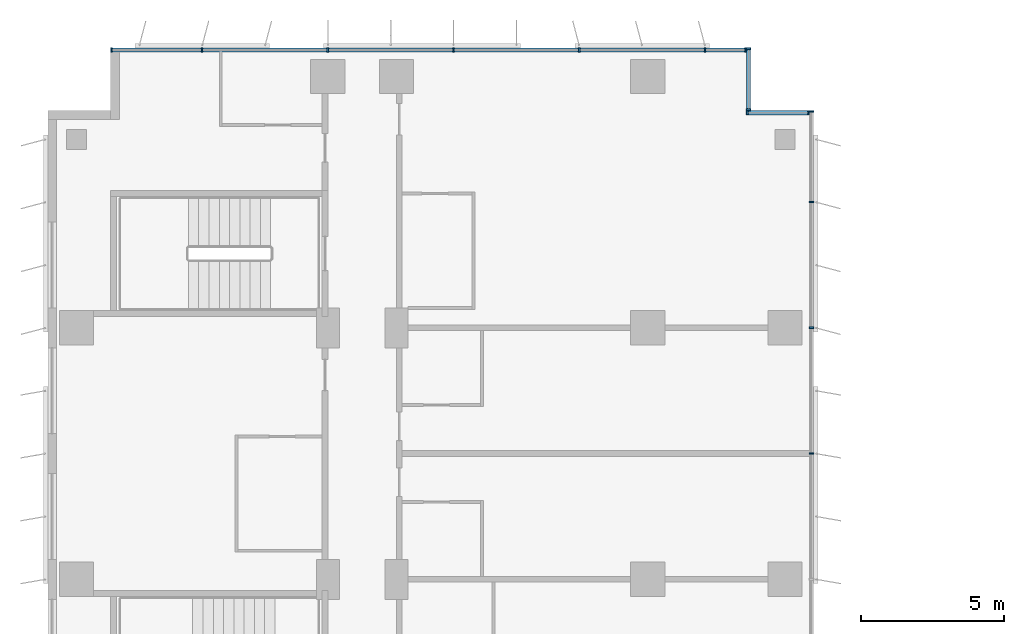
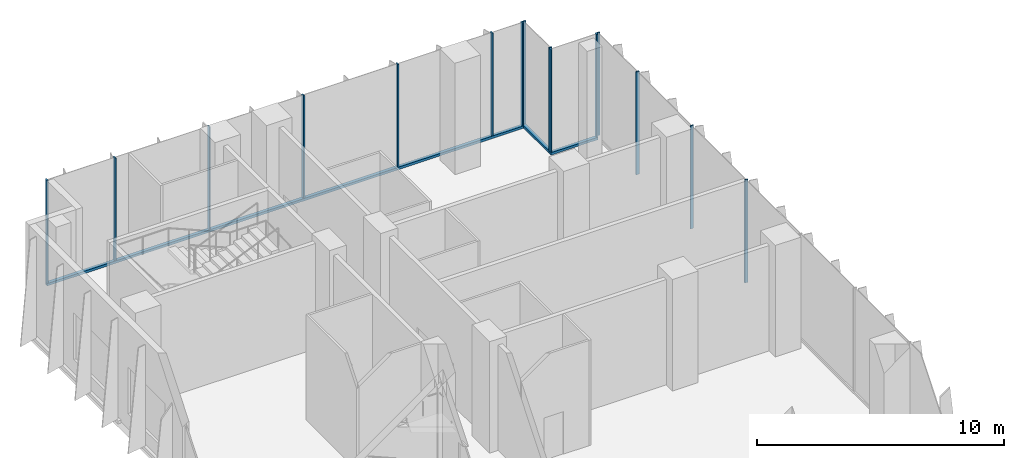
# One storey, part 9 of 26: 18 members, 4 elements without a shape of their own.
"""IFC4 building model written with IfcOpenShell, lengths in metres."""

import ifcopenshell
import ifcopenshell.guid

model = None  # the IFC model being written
_history = None  # IfcOwnerHistory: only IFC2X3 demands one
_inside = {}  # id of a spatial element -> (the spatial element, [elements in it])
_under = {}  # id of a project, library or spatial element -> (it, [spatial elements below it])
_declared = {}  # id of a project -> (the project, [libraries it declares])
_typed = {}  # id of a type object -> (the type object, [elements of that type])
_made_of = {}  # id of a material, layer set ... -> (it, [elements and type objects made of it])


def new_model(schema):
    """Start an empty IFC model of exactly this schema.

    Asked for "IFC4X3", IfcOpenShell would pick the latest addendum, in which some entities
    have other attributes; the version numbers below select the first issue.
    IFC2X3 requires an IfcOwnerHistory on every rooted entity: one is made here for all.
    """
    global model, _history
    if schema == "IFC4X3":
        model = ifcopenshell.file(schema_version=(4, 3, 0, 0))
    else:
        model = ifcopenshell.file(schema=schema)
    _inside.clear()
    _under.clear()
    _declared.clear()
    _typed.clear()
    _made_of.clear()
    _history = None
    if model.schema == "IFC2X3":
        org = make("IfcOrganization", Name="unknown")
        user = make(
            "IfcPersonAndOrganization",
            ThePerson=make("IfcPerson", FamilyName="unknown"),
            TheOrganization=org,
        )
        app = make(
            "IfcApplication",
            ApplicationDeveloper=org,
            Version="unknown",
            ApplicationFullName="unknown",
            ApplicationIdentifier="unknown",
        )
        _history = make(
            "IfcOwnerHistory",
            OwningUser=user,
            OwningApplication=app,
            ChangeAction="ADDED",
            CreationDate=0,
        )
    return model


def make(cls, **values):
    """One entity of the class cls with the attributes given. An attribute that is None is left unset."""
    return model.create_entity(
        cls, **{name: value for name, value in values.items() if value is not None}
    )


def rooted(cls, **values):
    """An entity with a GlobalId (a new one), such as an element, a storey or a relation."""
    return make(cls, GlobalId=ifcopenshell.guid.new(), OwnerHistory=_history, **values)


def si_unit(unit_type, name, prefix=None):
    """IfcSIUnit, for example si_unit("LENGTHUNIT", "METRE", prefix="MILLI")."""
    return make("IfcSIUnit", UnitType=unit_type, Prefix=prefix, Name=name)


def assignment(units):
    """IfcUnitAssignment: the units of a project."""
    return None if units is None else make("IfcUnitAssignment", Units=units)


def point(xyz):
    """IfcCartesianPoint."""
    return None if xyz is None else make("IfcCartesianPoint", Coordinates=xyz)


def direction(xyz):
    """IfcDirection."""
    return None if xyz is None else make("IfcDirection", DirectionRatios=xyz)


def frame(location, z_axis=None, x_axis=None):
    """IfcAxis2Placement3D, a coordinate frame: its origin and axes. An axis left out is left unset."""
    return make(
        "IfcAxis2Placement3D",
        Location=point(location),
        Axis=direction(z_axis),
        RefDirection=direction(x_axis),
    )


def frame_2d(location, x_axis=None):
    """IfcAxis2Placement2D, a coordinate frame in the plane: its origin and x axis."""
    return make(
        "IfcAxis2Placement2D", Location=point(location), RefDirection=direction(x_axis)
    )


def origin():
    """The frame at (0, 0, 0) with its axes left unset."""
    return frame((0.0, 0.0, 0.0))


def origin_2d():
    """The frame at (0, 0) in the plane with its x axis left unset."""
    return frame_2d((0.0, 0.0))


def place(relative_to, where):
    """IfcLocalPlacement: puts the frame where relative to a parent placement (None: the world)."""
    return make(
        "IfcLocalPlacement", PlacementRelTo=relative_to, RelativePlacement=where
    )


def context(
    kind, dimensions, precision=None, world=None, true_north=None, identifier=None
):
    """IfcGeometricRepresentationContext, for example the 3D "Model" context."""
    return make(
        "IfcGeometricRepresentationContext",
        ContextIdentifier=identifier,
        ContextType=kind,
        CoordinateSpaceDimension=dimensions,
        Precision=precision,
        WorldCoordinateSystem=world,
        TrueNorth=true_north,
    )


def subcontext(parent, identifier, kind, view, scale=None):
    """IfcGeometricRepresentationSubContext, for example "Body" below "Model"."""
    return make(
        "IfcGeometricRepresentationSubContext",
        ContextIdentifier=identifier,
        ContextType=kind,
        ParentContext=parent,
        TargetScale=scale,
        TargetView=view,
    )


def project(units=None, contexts=None):
    """IfcProject with its units and contexts."""
    return rooted(
        "IfcProject",
        Name="project",
        RepresentationContexts=contexts,
        UnitsInContext=assignment(units),
    )


def spatial(cls, under=None, at=None, **own):
    """A site, building, storey or space (cls), placed at a placement, below another one or the project."""
    s = rooted(cls, ObjectPlacement=at, **own)
    if under is not None:
        _under.setdefault(under.id(), (under, []))[1].append(s)
    return s


def profile(cls, at=None, kind="AREA", **sizes):
    """A parametric profile (cls). Its sizes go by their IFC names, for example OverallWidth=200.0."""
    return make(cls, ProfileType=kind, Position=at, **sizes)


def rectangle(**sizes):
    """IfcRectangleProfileDef."""
    return profile("IfcRectangleProfileDef", **sizes)


def extrude(swept, where, along, depth):
    """IfcExtrudedAreaSolid: the profile swept, set in the frame where, extruded along a direction by depth."""
    return make(
        "IfcExtrudedAreaSolid",
        SweptArea=swept,
        Position=where,
        ExtrudedDirection=direction(along),
        Depth=depth,
    )


def shape(context_of_items, identifier, shape_type, items):
    """IfcShapeRepresentation: the items that make up one representation, for example the "Body"."""
    return make(
        "IfcShapeRepresentation",
        ContextOfItems=context_of_items,
        RepresentationIdentifier=identifier,
        RepresentationType=shape_type,
        Items=items,
    )


def source(mapping_origin, context_of_items, identifier, shape_type, items):
    """IfcRepresentationMap: a shape defined once, which mapped items show again and again."""
    return make(
        "IfcRepresentationMap",
        MappingOrigin=mapping_origin,
        MappedRepresentation=shape(context_of_items, identifier, shape_type, items),
    )


def transform(
    local_origin,
    x_axis=None,
    y_axis=None,
    z_axis=None,
    scale=None,
    scale2=None,
    scale3=None,
    uniform=True,
):
    """IfcCartesianTransformationOperator3D, or its non-uniform kind. x_axis, y_axis, z_axis: its Axis1, 2, 3."""
    if uniform:
        return make(
            "IfcCartesianTransformationOperator3D",
            Axis1=direction(x_axis),
            Axis2=direction(y_axis),
            LocalOrigin=point(local_origin),
            Scale=scale,
            Axis3=direction(z_axis),
        )
    return make(
        "IfcCartesianTransformationOperator3DnonUniform",
        Axis1=direction(x_axis),
        Axis2=direction(y_axis),
        LocalOrigin=point(local_origin),
        Scale=scale,
        Axis3=direction(z_axis),
        Scale2=scale2,
        Scale3=scale3,
    )


def mapped(mapping_source, mapping_target):
    """IfcMappedItem: shows the shape of a source again, moved by a transform."""
    return make(
        "IfcMappedItem", MappingSource=mapping_source, MappingTarget=mapping_target
    )


def material(Name=None, Category=None):
    """IfcMaterial."""
    return make("IfcMaterial", Name=Name, Category=Category)


def material_profile(
    of_material, cross_section, Name=None, Category=None, Priority=None
):
    """IfcMaterialProfile: a cross section and its material."""
    return make(
        "IfcMaterialProfile",
        Name=Name,
        Material=of_material,
        Profile=cross_section,
        Priority=Priority,
        Category=Category,
    )


def profile_set(profiles, Name=None, composite=None):
    """IfcMaterialProfileSet."""
    return make(
        "IfcMaterialProfileSet",
        Name=Name,
        MaterialProfiles=profiles,
        CompositeProfile=composite,
    )


def made_of(thing, what):
    """Note that an element or type object is made of a material, layer set ...; save() writes the relation."""
    if what is not None:
        _made_of.setdefault(what.id(), (what, []))[1].append(thing)
    return thing


def type_object(cls, material=None, **own):
    """A type object (cls), such as IfcWallType, which elements share."""
    return made_of(rooted(cls, **own), material)


def element(
    cls,
    number,
    at=None,
    inside=None,
    cuts=None,
    type_object=None,
    material=None,
    context=None,
    identifier="Body",
    shape_type=None,
    held_by="IfcProductDefinitionShape",
    body=None,
    shapes=None,
    **own,
):
    """One element of the class cls, such as IfcWall. Its Tag is "e" and its number.

    at: its placement. inside: the storey or other place that contains it. cuts: it is an
    opening in that element (IfcRelVoidsElement). A single representation is given by context,
    identifier, shape_type and body (its items); several are given by shapes. held_by: the class
    of the entity that holds the representations. save() writes the other relations.
    """
    e = rooted(cls, Tag="e%d" % number, ObjectPlacement=at, **own)
    if body is not None:
        shapes = [shape(context, identifier, shape_type, body)]
    if shapes is not None:
        e.Representation = make(held_by, Representations=shapes)
    if inside is not None:
        _inside.setdefault(inside.id(), (inside, []))[1].append(e)
    if cuts is not None:
        rooted(
            "IfcRelVoidsElement", RelatingBuildingElement=cuts, RelatedOpeningElement=e
        )
    if type_object is not None:
        _typed.setdefault(type_object.id(), (type_object, []))[1].append(e)
    return made_of(e, material)


def aggregate(whole, parts):
    """IfcRelAggregates: a whole, such as a stair, and the parts it consists of."""
    return rooted("IfcRelAggregates", RelatingObject=whole, RelatedObjects=parts)


def save(model, path):
    """Write the relations noted so far, then the file.

    IfcRelAggregates (storeys below a building ...), IfcRelContainedInSpatialStructure (elements
    in a storey), IfcRelDefinesByType, IfcRelAssociatesMaterial and IfcRelDeclares: one each for
    every whole, place, type object, material and project.
    """
    for whole, parts in _under.values():
        aggregate(whole, parts)
    for where, things in _inside.values():
        rooted(
            "IfcRelContainedInSpatialStructure",
            RelatedElements=things,
            RelatingStructure=where,
        )
    for kind, things in _typed.values():
        rooted("IfcRelDefinesByType", RelatedObjects=things, RelatingType=kind)
    for what, things in _made_of.values():
        rooted("IfcRelAssociatesMaterial", RelatedObjects=things, RelatingMaterial=what)
    for by, libraries in _declared.values():
        rooted("IfcRelDeclares", RelatingContext=by, RelatedDefinitions=libraries)
    model.write(path)


model = new_model("IFC4")

# Units and contexts
model_context = context("Model", 3, precision=1e-05, world=origin(), true_north=direction((0.0, 1.0)))
body_context = subcontext(model_context, "Body", "Model", "MODEL_VIEW")
ifc_project = project(units=[si_unit("LENGTHUNIT", "METRE"), si_unit("AREAUNIT", "SQUARE_METRE"), si_unit("VOLUMEUNIT", "CUBIC_METRE"), si_unit("PLANEANGLEUNIT", "RADIAN"), si_unit("MASSUNIT", "GRAM", prefix="KILO")], contexts=[model_context])

# Site, building, storey
site_placement = place(None, origin())
site = spatial("IfcSite", under=ifc_project, at=site_placement, CompositionType="ELEMENT")
building_placement = place(site_placement, origin())
building = spatial("IfcBuilding", under=site, at=building_placement, Name="Kemantara Hotel Tower", CompositionType="ELEMENT")
storey_placement = place(building_placement, frame((0.0, 0.0, 101.89990234375)))
storey = spatial("IfcBuildingStorey", under=building, at=storey_placement, Name="L24", CompositionType="ELEMENT", Elevation=101.89990234375)

# Curtain wall, member
ifc_material_1 = material(Name="Low-E tinted double insulated glass 36 mm", Category="glass")
curtain_wall_type = type_object("IfcCurtainWallType", Name="TOWER CURTAIN WALL, FRONT FACES", PredefinedType="USERDEFINED", material=ifc_material_1)
curtain_wall_1_placement = place(storey_placement, origin())
curtain_wall_1 = element("IfcCurtainWall", 1, at=curtain_wall_1_placement, inside=storey, type_object=curtain_wall_type, Name="CW4 L24 T2-R01-1", ObjectType="TOWER CURTAIN WALL, FRONT FACES", PredefinedType="USERDEFINED")
ifc_material_2 = material(Name="Aluminium 6063-T6 bronze anodised", Category="aluminium")
ifc_material_profile_1 = material_profile(ifc_material_2, rectangle(XDim=0.14990234375, YDim=0.1201171875, at=origin_2d()), Name="TOWER CURTAIN WALL, FRONT FACES TRANSOM")
ifc_profile_set_1 = profile_set([ifc_material_profile_1], Name="Aluminium 6063-T6 bronze anodised")
member_type_1 = type_object("IfcMemberType", Name="TOWER CURTAIN WALL, FRONT FACES TRANSOM", PredefinedType="USERDEFINED", material=ifc_profile_set_1)
member_1_placement = place(storey_placement, frame((24.449951171875, 81.125, 0.06005859375), z_axis=(-1.0, 0.0, 0.0), x_axis=(0.0, -1.0, 0.0)))
member_1 = element("IfcMember", 2, at=member_1_placement, type_object=member_type_1, Name="CW4 sill transom T2-R01-1", ObjectType="TRANSOM", PredefinedType="USERDEFINED", context=body_context, shape_type="SweptSolid", body=[
    extrude(rectangle(XDim=0.14990234375, YDim=0.1201171875, at=origin_2d()), origin(), (0.0, 0.0, 1.0), 22.25),
])

curtain_wall_2_placement = place(storey_placement, origin())
curtain_wall_2 = element("IfcCurtainWall", 3, at=curtain_wall_2_placement, inside=storey, type_object=curtain_wall_type, Name="CW4 L24 T2-R00-1", ObjectType="TOWER CURTAIN WALL, FRONT FACES", PredefinedType="USERDEFINED")
member_2_placement = place(storey_placement, frame((24.52490234375, 79.0, 0.06005859375), z_axis=(0.0, 1.0, 0.0), x_axis=(-1.0, 0.0, 0.0)))
member_2 = element("IfcMember", 4, at=member_2_placement, type_object=member_type_1, Name="CW4 sill transom T2-R00-1", ObjectType="TRANSOM", PredefinedType="USERDEFINED", context=body_context, shape_type="SweptSolid", body=[
    extrude(rectangle(XDim=0.14990234375, YDim=0.1201171875, at=origin_2d()), origin(), (0.0, 0.0, 1.0), 2.199951171875),
])

curtain_wall_3_placement = place(storey_placement, origin())
curtain_wall_3 = element("IfcCurtainWall", 5, at=curtain_wall_3_placement, inside=storey, type_object=curtain_wall_type, Name="CW4 L24 T2-R15-1", ObjectType="TOWER CURTAIN WALL, FRONT FACES", PredefinedType="USERDEFINED")
member_3_placement = place(storey_placement, frame((26.64990234375, 78.925048828125, 0.06005859375), z_axis=(-1.0, 0.0, 0.0), x_axis=(0.0, -1.0, 0.0)))
member_3 = element("IfcMember", 6, at=member_3_placement, type_object=member_type_1, Name="CW4 sill transom T2-R15-1", ObjectType="TRANSOM", PredefinedType="USERDEFINED", context=body_context, shape_type="SweptSolid", body=[
    extrude(rectangle(XDim=0.14990234375, YDim=0.1201171875, at=origin_2d()), origin(), (0.0, 0.0, 1.0), 2.199951171875),
])

# Member
ifc_material_profile_2 = material_profile(ifc_material_2, rectangle(XDim=0.14990234375, YDim=0.06005859375, at=origin_2d()), Name="TOWER CURTAIN WALL, FRONT FACES MULLION")
ifc_profile_set_2 = profile_set([ifc_material_profile_2], Name="Aluminium 6063-T6 bronze anodised")
member_type_2 = type_object("IfcMemberType", Name="TOWER CURTAIN WALL, FRONT FACES MULLION", PredefinedType="MULLION", material=ifc_profile_set_2)
shared_shape = source(origin(), body_context, "Body", "SweptSolid", [
    extrude(rectangle(XDim=0.14990234375, YDim=0.06005859375, at=origin_2d()), origin(), (0.0, 0.0, 1.0), 5.080078125),
])
member_4_placement = place(storey_placement, frame((24.419921875, 81.125, 0.1201171875), z_axis=(0.0, 0.0, 1.0), x_axis=(0.0, -1.0, 0.0)))
member_4 = element("IfcMember", 7, at=member_4_placement, type_object=member_type_2, Name="CW4 mullion T2-R01-1.1", PredefinedType="MULLION", context=body_context, shape_type="MappedRepresentation", body=[
    mapped(shared_shape, transform((0.0, 0.0, 0.0))),
])

member_5_placement = place(storey_placement, frame((23.0, 81.125, 0.1201171875), z_axis=(0.0, 0.0, 1.0), x_axis=(0.0, -1.0, 0.0)))
member_5 = element("IfcMember", 8, at=member_5_placement, type_object=member_type_2, Name="CW4 mullion T2-R01-1.2", PredefinedType="MULLION", context=body_context, shape_type="MappedRepresentation", body=[
    mapped(shared_shape, transform((0.0, 0.0, 0.0))),
])

member_6_placement = place(storey_placement, frame((18.60009765625, 81.125, 0.1201171875), z_axis=(0.0, 0.0, 1.0), x_axis=(0.0, -1.0, 0.0)))
member_6 = element("IfcMember", 9, at=member_6_placement, type_object=member_type_2, Name="CW4 mullion T2-R01-1.3", PredefinedType="MULLION", context=body_context, shape_type="MappedRepresentation", body=[
    mapped(shared_shape, transform((0.0, 0.0, 0.0))),
])

member_7_placement = place(storey_placement, frame((14.199951171875, 81.125, 0.1201171875), z_axis=(0.0, 0.0, 1.0), x_axis=(0.0, -1.0, 0.0)))
member_7 = element("IfcMember", 10, at=member_7_placement, type_object=member_type_2, Name="CW4 mullion T2-R01-1.4", PredefinedType="MULLION", context=body_context, shape_type="MappedRepresentation", body=[
    mapped(shared_shape, transform((0.0, 0.0, 0.0))),
])

member_8_placement = place(storey_placement, frame((9.800048828125, 81.125, 0.1201171875), z_axis=(0.0, 0.0, 1.0), x_axis=(0.0, -1.0, 0.0)))
member_8 = element("IfcMember", 11, at=member_8_placement, type_object=member_type_2, Name="CW4 mullion T2-R01-1.5", PredefinedType="MULLION", context=body_context, shape_type="MappedRepresentation", body=[
    mapped(shared_shape, transform((0.0, 0.0, 0.0))),
])

member_9_placement = place(storey_placement, frame((5.39990234375, 81.125, 0.1201171875), z_axis=(0.0, 0.0, 1.0), x_axis=(0.0, -1.0, 0.0)))
member_9 = element("IfcMember", 12, at=member_9_placement, type_object=member_type_2, Name="CW4 mullion T2-R01-1.6", PredefinedType="MULLION", context=body_context, shape_type="MappedRepresentation", body=[
    mapped(shared_shape, transform((0.0, 0.0, 0.0))),
])

member_10_placement = place(storey_placement, frame((2.22998046875, 81.125, 0.1201171875), z_axis=(0.0, 0.0, 1.0), x_axis=(0.0, -1.0, 0.0)))
member_10 = element("IfcMember", 13, at=member_10_placement, type_object=member_type_2, Name="CW4 mullion T2-R01-1.7", PredefinedType="MULLION", context=body_context, shape_type="MappedRepresentation", body=[
    mapped(shared_shape, transform((0.0, 0.0, 0.0))),
])

aggregate(curtain_wall_1, [member_1, member_4, member_5, member_6, member_7, member_8, member_9, member_10])

# Curtain wall, members
curtain_wall_4_placement = place(storey_placement, origin())
curtain_wall_4 = element("IfcCurtainWall", 14, at=curtain_wall_4_placement, inside=storey, type_object=curtain_wall_type, Name="CW4 L24 T2-R14-1", ObjectType="TOWER CURTAIN WALL, FRONT FACES", PredefinedType="USERDEFINED")
member_11_placement = place(storey_placement, frame((26.72509765625, 67.0, 0.1201171875), z_axis=(0.0, 0.0, 1.0), x_axis=(-1.0, 0.0, 0.0)))
member_11 = element("IfcMember", 15, at=member_11_placement, type_object=member_type_2, Name="CW4 mullion T2-R14-1.12", PredefinedType="MULLION", context=body_context, shape_type="MappedRepresentation", body=[
    mapped(shared_shape, transform((0.0, 0.0, 0.0))),
])
member_12_placement = place(storey_placement, frame((26.72509765625, 71.39990234375, 0.1201171875), z_axis=(0.0, 0.0, 1.0), x_axis=(-1.0, 0.0, 0.0)))
member_12 = element("IfcMember", 16, at=member_12_placement, type_object=member_type_2, Name="CW4 mullion T2-R14-1.13", PredefinedType="MULLION", context=body_context, shape_type="MappedRepresentation", body=[
    mapped(shared_shape, transform((0.0, 0.0, 0.0))),
])
member_13_placement = place(storey_placement, frame((26.72509765625, 75.800048828125, 0.1201171875), z_axis=(0.0, 0.0, 1.0), x_axis=(-1.0, 0.0, 0.0)))
member_13 = element("IfcMember", 17, at=member_13_placement, type_object=member_type_2, Name="CW4 mullion T2-R14-1.14", PredefinedType="MULLION", context=body_context, shape_type="MappedRepresentation", body=[
    mapped(shared_shape, transform((0.0, 0.0, 0.0))),
])
member_14_placement = place(storey_placement, frame((26.72509765625, 78.969970703125, 0.1201171875), z_axis=(0.0, 0.0, 1.0), x_axis=(-1.0, 0.0, 0.0)))
member_14 = element("IfcMember", 18, at=member_14_placement, type_object=member_type_2, Name="CW4 mullion T2-R14-1.15", PredefinedType="MULLION", context=body_context, shape_type="MappedRepresentation", body=[
    mapped(shared_shape, transform((0.0, 0.0, 0.0))),
])
aggregate(curtain_wall_4, [member_11, member_12, member_13, member_14])

# Member
member_15_placement = place(storey_placement, frame((24.52490234375, 79.030029296875, 0.1201171875), z_axis=(0.0, 0.0, 1.0), x_axis=(-1.0, 0.0, 0.0)))
member_15 = element("IfcMember", 19, at=member_15_placement, type_object=member_type_2, Name="CW4 mullion T2-R00-1.1", PredefinedType="MULLION", context=body_context, shape_type="MappedRepresentation", body=[
    mapped(shared_shape, transform((0.0, 0.0, 0.0))),
])

member_16_placement = place(storey_placement, frame((24.52490234375, 81.169921875, 0.1201171875), z_axis=(0.0, 0.0, 1.0), x_axis=(-1.0, 0.0, 0.0)))
member_16 = element("IfcMember", 20, at=member_16_placement, type_object=member_type_2, Name="CW4 mullion T2-R00-1.2", PredefinedType="MULLION", context=body_context, shape_type="MappedRepresentation", body=[
    mapped(shared_shape, transform((0.0, 0.0, 0.0))),
])

aggregate(curtain_wall_2, [member_2, member_15, member_16])

member_17_placement = place(storey_placement, frame((26.6201171875, 78.925048828125, 0.1201171875), z_axis=(0.0, 0.0, 1.0), x_axis=(0.0, -1.0, 0.0)))
member_17 = element("IfcMember", 21, at=member_17_placement, type_object=member_type_2, Name="CW4 mullion T2-R15-1.1", PredefinedType="MULLION", context=body_context, shape_type="MappedRepresentation", body=[
    mapped(shared_shape, transform((0.0, 0.0, 0.0))),
])

member_18_placement = place(storey_placement, frame((24.47998046875, 78.925048828125, 0.1201171875), z_axis=(0.0, 0.0, 1.0), x_axis=(0.0, -1.0, 0.0)))
member_18 = element("IfcMember", 22, at=member_18_placement, type_object=member_type_2, Name="CW4 mullion T2-R15-1.2", PredefinedType="MULLION", context=body_context, shape_type="MappedRepresentation", body=[
    mapped(shared_shape, transform((0.0, 0.0, 0.0))),
])

aggregate(curtain_wall_3, [member_3, member_17, member_18])

save(model, "model.ifc")
